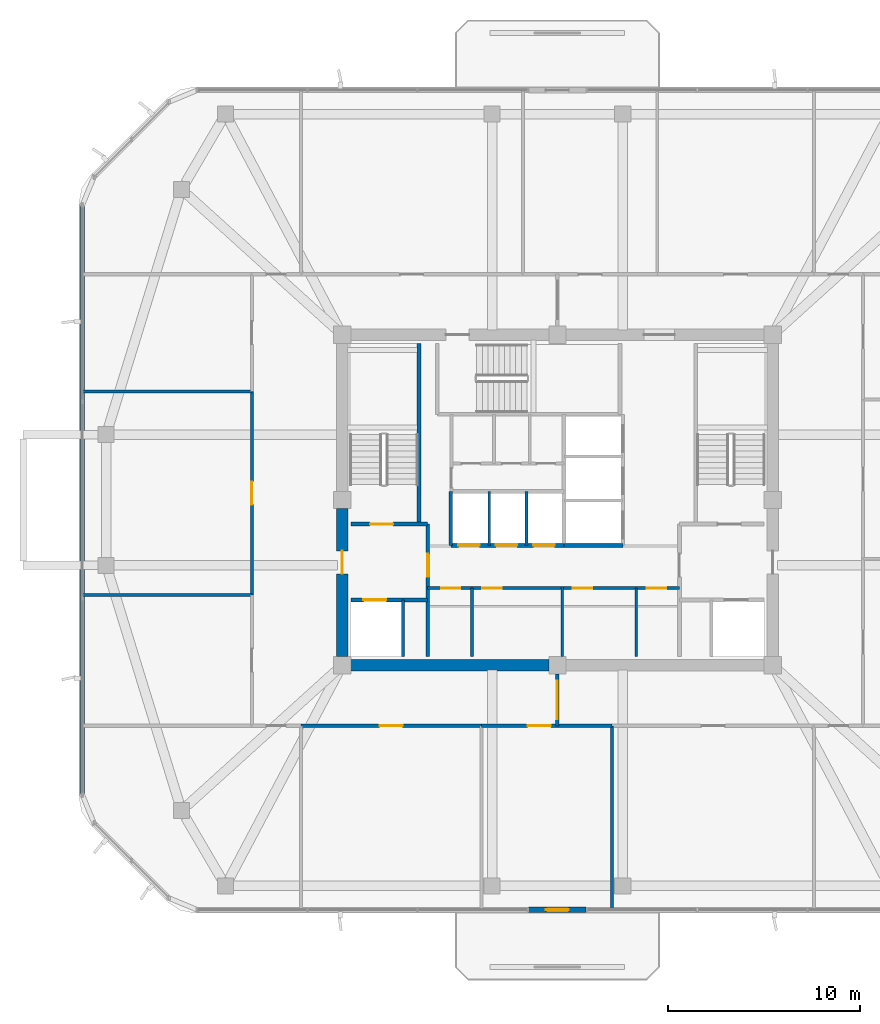
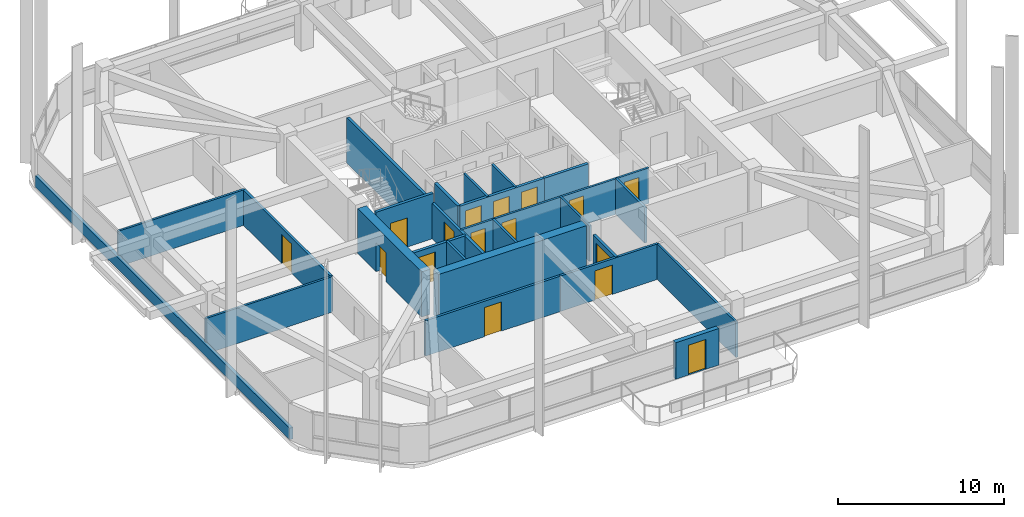
# One storey, part 7 of 13: 26 walls, 16 doors, 16 openings.
"""IFC4 building model written with IfcOpenShell, lengths in metres."""

from ifc_helpers import new_model, si_unit, derived_unit, direction, frame, frame_2d, origin, place, context, subcontext, project, spatial, rectangle, extrude, material, layer, layer_set, type_object, element, fill, save


model = new_model("IFC4")

# Units and contexts
model_context = context("Model", 3, precision=1e-05, world=origin(), true_north=direction((0.0, 1.0)))
body_context = subcontext(model_context, "Body", "Model", "MODEL_VIEW")
ifc_project = project(units=[si_unit("LENGTHUNIT", "METRE"), si_unit("AREAUNIT", "SQUARE_METRE"), si_unit("VOLUMEUNIT", "CUBIC_METRE"), si_unit("PLANEANGLEUNIT", "RADIAN"), si_unit("MASSUNIT", "GRAM", prefix="KILO"), derived_unit("THERMALTRANSMITTANCEUNIT", [(si_unit("POWERUNIT", "WATT"), 1), (si_unit("LENGTHUNIT", "METRE"), -2), (si_unit("THERMODYNAMICTEMPERATUREUNIT", "KELVIN"), -1)])], contexts=[model_context])

# Site, building, storey
site_placement = place(None, origin())
site = spatial("IfcSite", under=ifc_project, at=site_placement, CompositionType="ELEMENT")
building_placement = place(site_placement, origin())
building = spatial("IfcBuilding", under=site, at=building_placement, Name="Koralith Skygarden Medical Center", CompositionType="ELEMENT")
storey_placement = place(building_placement, frame((0.0, 0.0, 253.6201171875)))
storey = spatial("IfcBuildingStorey", under=building, at=storey_placement, Name="L65", CompositionType="ELEMENT", Elevation=253.6201171875)

# Wall, openings, doors
ifc_material_1 = material(Name="Gypsum Board Partition")
ifc_layer_1 = layer(ifc_material_1, 0.14990234375)
ifc_layer_set_1 = layer_set([ifc_layer_1], Name="Gypsum Board Partition")
wall_type_1 = type_object("IfcWallType", Name="Clinical Acoustic Partition 150", PredefinedType="PARTITIONING", material=ifc_layer_set_1)
wall_1_placement = place(storey_placement, frame((30.25, 21.320068359375, 0.0), z_axis=(0.0, 0.0, 1.0), x_axis=(1.0, 0.0, 0.0)))
wall_1 = element("IfcWall", 1, at=wall_1_placement, inside=storey, type_object=wall_type_1, Name="L65 Clinical Acoustic Partition 150 W-CORE-L65-FREED-LR-N", PredefinedType="PARTITIONING", context=body_context, shape_type="SweptSolid", body=[
    extrude(rectangle(XDim=7.0, YDim=0.14990234375, at=frame_2d((3.5, 0.0))), origin(), (0.0, 0.0, 1.0), 2.60986328125),
])
opening_1_placement = place(wall_1_placement, frame((0.699951171875, 0.0, 0.0)))
opening_1 = element("IfcOpeningElement", 2, at=opening_1_placement, cuts=wall_1, Name="Opening D-SUP", PredefinedType="OPENING", context=body_context, shape_type="SweptSolid", body=[
    extrude(rectangle(XDim=1.0, YDim=2.14990234375, at=frame_2d((0.5, 1.074951171875))), frame((0.0, 0.0849609375, 0.0), z_axis=(0.0, -1.0, 0.0), x_axis=(1.0, 0.0, 0.0)), (0.0, 0.0, 1.0), 0.169921875),
])
opening_2_placement = place(wall_1_placement, frame((2.85009765625, 0.0, 0.0)))
opening_2 = element("IfcOpeningElement", 3, at=opening_2_placement, cuts=wall_1, Name="Opening D-SUP", PredefinedType="OPENING", context=body_context, shape_type="SweptSolid", body=[
    extrude(rectangle(XDim=1.0, YDim=2.14990234375, at=frame_2d((0.5, 1.074951171875))), frame((0.0, 0.0849609375, 0.0), z_axis=(0.0, -1.0, 0.0), x_axis=(1.0, 0.0, 0.0)), (0.0, 0.0, 1.0), 0.169921875),
])
ifc_material_2 = material(Name="Aluminium 6063-T6", Category="aluminium")
door_type_1 = type_object("IfcDoorType", Name="Clinical Support Door D-SUP 1000", OperationType="NOTDEFINED", PredefinedType="DOOR", material=ifc_material_2)
door_1_placement = place(opening_1_placement, frame((1.0, 0.0, 0.0), z_axis=(0.0, 0.0, 1.0), x_axis=(-1.0, 0.0, 0.0)))
door_1 = element("IfcDoor", 4, at=door_1_placement, inside=storey, type_object=door_type_1, Name="L65 Medication Preparation Door", OperationType="SINGLE_SWING_LEFT", OverallHeight=2.14990234375, OverallWidth=1.0, PredefinedType="DOOR", context=body_context, shape_type="SweptSolid", body=[
    extrude(rectangle(XDim=1.0, YDim=2.14990234375, at=frame_2d((0.5, 1.074951171875))), frame((0.0, 0.02490234375, 0.0), z_axis=(0.0, -1.0, 0.0), x_axis=(1.0, 0.0, 0.0)), (0.0, 0.0, 1.0), 0.050048828125),
])
fill(opening_1, door_1)
door_2_placement = place(opening_2_placement, frame((1.0, 0.0, 0.0), z_axis=(0.0, 0.0, 1.0), x_axis=(-1.0, 0.0, 0.0)))
door_2 = element("IfcDoor", 5, at=door_2_placement, inside=storey, type_object=door_type_1, Name="L65 Telemetry Room Door", OperationType="SINGLE_SWING_RIGHT", OverallHeight=2.14990234375, OverallWidth=1.0, PredefinedType="DOOR", context=body_context, shape_type="SweptSolid", body=[
    extrude(rectangle(XDim=1.0, YDim=2.14990234375, at=frame_2d((0.5, 1.074951171875))), frame((0.0, 0.02490234375, 0.0), z_axis=(0.0, -1.0, 0.0), x_axis=(1.0, 0.0, 0.0)), (0.0, 0.0, 1.0), 0.050048828125),
])
fill(opening_2, door_2)

# Wall
wall_2_placement = place(storey_placement, frame((32.550048828125, 17.75, 0.0), z_axis=(0.0, 0.0, 1.0), x_axis=(0.0, 1.0, 0.0)))
element("IfcWall", 6, at=wall_2_placement, inside=storey, type_object=wall_type_1, Name="L65 Clinical Acoustic Partition 150 W-CORE-L65-FREED-LR-M", PredefinedType="PARTITIONING", context=body_context, shape_type="SweptSolid", body=[
    extrude(rectangle(XDim=3.570068359375, YDim=0.14990234375, at=frame_2d((1.78515625, 0.0))), origin(), (0.0, 0.0, 1.0), 2.60986328125),
])

# Wall, openings, doors
wall_3_placement = place(storey_placement, frame((37.25, 21.320068359375, 0.0), z_axis=(0.0, 0.0, 1.0), x_axis=(1.0, 0.0, 0.0)))
wall_3 = element("IfcWall", 7, at=wall_3_placement, inside=storey, type_object=wall_type_1, Name="L65 Clinical Acoustic Partition 150 W-CORE-L65-FREED-MR-N", PredefinedType="PARTITIONING", context=body_context, shape_type="SweptSolid", body=[
    extrude(rectangle(XDim=6.10009765625, YDim=0.14990234375, at=frame_2d((3.050048828125, 0.0))), origin(), (0.0, 0.0, 1.0), 2.60986328125),
])
opening_3_placement = place(wall_3_placement, frame((0.550048828125, 0.0, 0.0)))
opening_3 = element("IfcOpeningElement", 8, at=opening_3_placement, cuts=wall_3, Name="Opening D-SUP", PredefinedType="OPENING", context=body_context, shape_type="SweptSolid", body=[
    extrude(rectangle(XDim=1.0, YDim=2.14990234375, at=frame_2d((0.5, 1.074951171875))), frame((0.0, 0.0849609375, 0.0), z_axis=(0.0, -1.0, 0.0), x_axis=(1.0, 0.0, 0.0)), (0.0, 0.0, 1.0), 0.169921875),
])
opening_4_placement = place(wall_3_placement, frame((4.39990234375, 0.0, 0.0)))
opening_4 = element("IfcOpeningElement", 9, at=opening_4_placement, cuts=wall_3, Name="Opening D-SUP", PredefinedType="OPENING", context=body_context, shape_type="SweptSolid", body=[
    extrude(rectangle(XDim=1.0, YDim=2.14990234375, at=frame_2d((0.5, 1.074951171875))), frame((0.0, 0.0849609375, 0.0), z_axis=(0.0, -1.0, 0.0), x_axis=(1.0, 0.0, 0.0)), (0.0, 0.0, 1.0), 0.169921875),
])
door_3_placement = place(opening_3_placement, frame((1.0, 0.0, 0.0), z_axis=(0.0, 0.0, 1.0), x_axis=(-1.0, 0.0, 0.0)))
door_3 = element("IfcDoor", 10, at=door_3_placement, inside=storey, type_object=door_type_1, Name="L65 Satellite Pharmacy Door", OperationType="SINGLE_SWING_LEFT", OverallHeight=2.14990234375, OverallWidth=1.0, PredefinedType="DOOR", context=body_context, shape_type="SweptSolid", body=[
    extrude(rectangle(XDim=1.0, YDim=2.14990234375, at=frame_2d((0.5, 1.074951171875))), frame((0.0, 0.02490234375, 0.0), z_axis=(0.0, -1.0, 0.0), x_axis=(1.0, 0.0, 0.0)), (0.0, 0.0, 1.0), 0.050048828125),
])
fill(opening_3, door_3)
door_4_placement = place(opening_4_placement, frame((1.0, 0.0, 0.0), z_axis=(0.0, 0.0, 1.0), x_axis=(-1.0, 0.0, 0.0)))
door_4 = element("IfcDoor", 11, at=door_4_placement, inside=storey, type_object=door_type_1, Name="L65 Biomedical Equipment Door", OperationType="SINGLE_SWING_RIGHT", OverallHeight=2.14990234375, OverallWidth=1.0, PredefinedType="DOOR", context=body_context, shape_type="SweptSolid", body=[
    extrude(rectangle(XDim=1.0, YDim=2.14990234375, at=frame_2d((0.5, 1.074951171875))), frame((0.0, 0.02490234375, 0.0), z_axis=(0.0, -1.0, 0.0), x_axis=(1.0, 0.0, 0.0)), (0.0, 0.0, 1.0), 0.050048828125),
])
fill(opening_4, door_4)

# Walls
wall_4_placement = place(storey_placement, frame((41.10009765625, 17.75, 0.0), z_axis=(0.0, 0.0, 1.0), x_axis=(0.0, 1.0, 0.0)))
element("IfcWall", 12, at=wall_4_placement, inside=storey, type_object=wall_type_1, Name="L65 Clinical Acoustic Partition 150 W-CORE-L65-FREED-MR-M", PredefinedType="PARTITIONING", context=body_context, shape_type="SweptSolid", body=[
    extrude(rectangle(XDim=3.570068359375, YDim=0.14990234375, at=frame_2d((1.78515625, 0.0))), origin(), (0.0, 0.0, 1.0), 2.60986328125),
])
wall_5_placement = place(storey_placement, frame((39.842041015625, 14.14990234375, 0.0), z_axis=(0.0, 0.0, 1.0), x_axis=(0.0, -1.0, 0.0)))
element("IfcWall", 13, at=wall_5_placement, inside=storey, type_object=wall_type_1, Name="L65 Clinical Acoustic Partition 150 W-PART-L65-S-03", PredefinedType="PARTITIONING", context=body_context, shape_type="SweptSolid", body=[
    extrude(rectangle(XDim=9.5498046875, YDim=0.14990234375, at=frame_2d((4.77490234375, 0.0))), origin(), (0.0, 0.0, 1.0), 2.60986328125),
])
for number, where, z_axis, x_axis, name in (
    (14, (21.10009765625, 20.965087890625, 0.0), (0.0, 0.0, 1.0), (-1.0, 0.0, 0.0), "L65 Clinical Acoustic Partition 150 W-PART-L65-W-01"),
    (15, (21.10009765625, 31.5400390625, 0.0), (0.0, 0.0, 1.0), (-1.0, 0.0, 0.0), "L65 Clinical Acoustic Partition 150 W-PART-L65-W-02"),
):
    element("IfcWall", number, at=place(storey_placement, frame(where, z_axis=z_axis, x_axis=x_axis)), inside=storey, type_object=wall_type_1, Name=name, PredefinedType="PARTITIONING", context=body_context, shape_type="SweptSolid", body=[
        extrude(rectangle(XDim=8.800048828125, YDim=0.14990234375, at=frame_2d((4.39990234375, 0.0))), origin(), (0.0, 0.0, 1.0), 2.60986328125),
    ])

# Wall, opening, door
ifc_layer_2 = layer(ifc_material_1, 0.1650390625)
ifc_layer_set_2 = layer_set([ifc_layer_2], Name="Gypsum Board Partition")
wall_type_2 = type_object("IfcWallType", Name="Clinical Corridor Partition 165", PredefinedType="PARTITIONING", material=ifc_layer_set_2)
wall_6_placement = place(storey_placement, frame((23.64990234375, 14.14990234375, 0.0), z_axis=(0.0, 0.0, 1.0), x_axis=(1.0, 0.0, 0.0)))
wall_6 = element("IfcWall", 16, at=wall_6_placement, inside=storey, type_object=wall_type_2, Name="L65 Clinical Corridor Partition 165 W-CORR-L65-S-02", PredefinedType="PARTITIONING", context=body_context, shape_type="SweptSolid", body=[
    extrude(rectangle(XDim=9.39111328125, YDim=0.1650390625, at=frame_2d((4.695556640625, 0.0))), origin(), (0.0, 0.0, 1.0), 2.60986328125),
])
opening_5_placement = place(wall_6_placement, frame((4.094970703125, 0.0, 0.0)))
opening_5 = element("IfcOpeningElement", 17, at=opening_5_placement, cuts=wall_6, Name="Opening D-CLN", PredefinedType="OPENING", context=body_context, shape_type="SweptSolid", body=[
    extrude(rectangle(XDim=1.199951171875, YDim=2.14990234375, at=frame_2d((0.60009765625, 1.074951171875))), frame((0.0, 0.092529296875, 0.0), z_axis=(0.0, -1.0, 0.0), x_axis=(1.0, 0.0, 0.0)), (0.0, 0.0, 1.0), 0.18505859375),
])
door_type_2 = type_object("IfcDoorType", Name="Clinical Corridor Door D-CLN 1200", OperationType="NOTDEFINED", PredefinedType="DOOR", material=ifc_material_2)
door_5_placement = place(opening_5_placement, frame((1.199951171875, 0.0, 0.0), z_axis=(0.0, 0.0, 1.0), x_axis=(-1.0, 0.0, 0.0)))
door_5 = element("IfcDoor", 18, at=door_5_placement, inside=storey, type_object=door_type_2, Name="L65 Speech Swallow Treatment Room 07 Door", OperationType="SINGLE_SWING_RIGHT", OverallHeight=2.14990234375, OverallWidth=1.199951171875, PredefinedType="DOOR", context=body_context, shape_type="SweptSolid", body=[
    extrude(rectangle(XDim=1.199951171875, YDim=2.14990234375, at=frame_2d((0.60009765625, 1.074951171875))), frame((0.0, 0.02490234375, 0.0), z_axis=(0.0, -1.0, 0.0), x_axis=(1.0, 0.0, 0.0)), (0.0, 0.0, 1.0), 0.050048828125),
])
fill(opening_5, door_5)

wall_7_placement = place(storey_placement, frame((33.041015625, 14.14990234375, 0.0), z_axis=(0.0, 0.0, 1.0), x_axis=(1.0, 0.0, 0.0)))
wall_7 = element("IfcWall", 19, at=wall_7_placement, inside=storey, type_object=wall_type_2, Name="L65 Clinical Corridor Partition 165 W-CORR-L65-S-03", PredefinedType="PARTITIONING", context=body_context, shape_type="SweptSolid", body=[
    extrude(rectangle(XDim=6.801025390625, YDim=0.1650390625, at=frame_2d((3.400390625, 0.0))), origin(), (0.0, 0.0, 1.0), 2.60986328125),
])
opening_6_placement = place(wall_7_placement, frame((2.412109375, 0.0, 0.0)))
opening_6 = element("IfcOpeningElement", 20, at=opening_6_placement, cuts=wall_7, Name="Opening D-CLN", PredefinedType="OPENING", context=body_context, shape_type="SweptSolid", body=[
    extrude(rectangle(XDim=1.199951171875, YDim=2.14990234375, at=frame_2d((0.60009765625, 1.074951171875))), frame((0.0, 0.092529296875, 0.0), z_axis=(0.0, -1.0, 0.0), x_axis=(1.0, 0.0, 0.0)), (0.0, 0.0, 1.0), 0.18505859375),
])
door_6_placement = place(opening_6_placement, frame((1.199951171875, 0.0, 0.0), z_axis=(0.0, 0.0, 1.0), x_axis=(-1.0, 0.0, 0.0)))
door_6 = element("IfcDoor", 21, at=door_6_placement, inside=storey, type_object=door_type_2, Name="L65 Patient and Family Sky-Garden Day Lounge 08 Door", OperationType="SINGLE_SWING_LEFT", OverallHeight=2.14990234375, OverallWidth=1.199951171875, PredefinedType="DOOR", context=body_context, shape_type="SweptSolid", body=[
    extrude(rectangle(XDim=1.199951171875, YDim=2.14990234375, at=frame_2d((0.60009765625, 1.074951171875))), frame((0.0, 0.02490234375, 0.0), z_axis=(0.0, -1.0, 0.0), x_axis=(1.0, 0.0, 0.0)), (0.0, 0.0, 1.0), 0.050048828125),
])
fill(opening_6, door_6)

wall_8_placement = place(storey_placement, frame((21.10009765625, 20.965087890625, 0.0), z_axis=(0.0, 0.0, 1.0), x_axis=(0.0, 1.0, 0.0)))
wall_8 = element("IfcWall", 22, at=wall_8_placement, inside=storey, type_object=wall_type_2, Name="L65 Clinical Corridor Partition 165 W-CORR-L65-W-02", PredefinedType="PARTITIONING", context=body_context, shape_type="SweptSolid", body=[
    extrude(rectangle(XDim=10.574951171875, YDim=0.1650390625, at=frame_2d((5.28759765625, 0.0))), origin(), (0.0, 0.0, 1.0), 2.60986328125),
])
opening_7_placement = place(wall_8_placement, frame((4.68798828125, 0.0, 0.0)))
opening_7 = element("IfcOpeningElement", 23, at=opening_7_placement, cuts=wall_8, Name="Opening D-CLN", PredefinedType="OPENING", context=body_context, shape_type="SweptSolid", body=[
    extrude(rectangle(XDim=1.199951171875, YDim=2.14990234375, at=frame_2d((0.60009765625, 1.074951171875))), frame((0.0, 0.092529296875, 0.0), z_axis=(0.0, -1.0, 0.0), x_axis=(1.0, 0.0, 0.0)), (0.0, 0.0, 1.0), 0.18505859375),
])
door_7_placement = place(opening_7_placement, frame((1.199951171875, 0.0, 0.0), z_axis=(0.0, 0.0, 1.0), x_axis=(-1.0, 0.0, 0.0)))
door_7 = element("IfcDoor", 24, at=door_7_placement, inside=storey, type_object=door_type_2, Name="L65 Speech Swallow Treatment Room 12 Door", OperationType="SINGLE_SWING_LEFT", OverallHeight=2.14990234375, OverallWidth=1.199951171875, PredefinedType="DOOR", context=body_context, shape_type="SweptSolid", body=[
    extrude(rectangle(XDim=1.199951171875, YDim=2.14990234375, at=frame_2d((0.60009765625, 1.074951171875))), frame((0.0, 0.02490234375, 0.0), z_axis=(0.0, -1.0, 0.0), x_axis=(1.0, 0.0, 0.0)), (0.0, 0.0, 1.0), 0.050048828125),
])
fill(opening_7, door_7)

ifc_layer_3 = layer(ifc_material_1, 0.199951171875)
ifc_layer_set_3 = layer_set([ifc_layer_3], Name="Gypsum Board Partition")
wall_type_3 = type_object("IfcWallType", Name="Fire Shaft Wall 200", PredefinedType="SOLIDWALL", material=ifc_layer_set_3)
wall_9_placement = place(storey_placement, frame((26.25, 20.699951171875, 0.0), z_axis=(0.0, 0.0, 1.0), x_axis=(1.0, 0.0, 0.0)))
wall_9 = element("IfcWall", 25, at=wall_9_placement, inside=storey, type_object=wall_type_3, Name="L65 Fire Shaft Wall 200 W-CORE-L65-FF1-N", PredefinedType="SOLIDWALL", context=body_context, shape_type="SweptSolid", body=[
    extrude(rectangle(XDim=4.0, YDim=0.199951171875, at=frame_2d((2.0, 0.0))), origin(), (0.0, 0.0, 1.0), 2.60986328125),
])
opening_8_placement = place(wall_9_placement, frame((0.64990234375, 0.0, 0.0)))
opening_8 = element("IfcOpeningElement", 26, at=opening_8_placement, cuts=wall_9, Name="Opening LD-FF", PredefinedType="OPENING", context=body_context, shape_type="SweptSolid", body=[
    extrude(rectangle(XDim=1.199951171875, YDim=2.14990234375, at=frame_2d((0.60009765625, 1.074951171875))), frame((0.0, 0.10986328125, 0.0), z_axis=(0.0, -1.0, 0.0), x_axis=(1.0, 0.0, 0.0)), (0.0, 0.0, 1.0), 0.219970703125),
])
ifc_material_3 = material(Name="Steel ASTM A500 Grade C", Category="steel")
door_type_3 = type_object("IfcDoorType", Name="Fire Lift Sliding Landing Door LD-FF 1200", OperationType="NOTDEFINED", PredefinedType="DOOR", material=ifc_material_3)
door_8_placement = place(opening_8_placement, origin())
door_8 = element("IfcDoor", 27, at=door_8_placement, inside=storey, type_object=door_type_3, Name="L65 Fire Service Elevator FF1 Landing Door", OperationType="SLIDING_TO_LEFT", OverallHeight=2.14990234375, OverallWidth=1.199951171875, PredefinedType="DOOR", context=body_context, shape_type="SweptSolid", body=[
    extrude(rectangle(XDim=1.199951171875, YDim=2.14990234375, at=frame_2d((0.60009765625, 1.074951171875))), frame((0.0, 0.02490234375, 0.0), z_axis=(0.0, -1.0, 0.0), x_axis=(1.0, 0.0, 0.0)), (0.0, 0.0, 1.0), 0.050048828125),
])
fill(opening_8, door_8)

wall_10_placement = place(storey_placement, frame((30.25, 17.75, 0.0), z_axis=(0.0, 0.0, 1.0), x_axis=(0.0, 1.0, 0.0)))
wall_10 = element("IfcWall", 28, at=wall_10_placement, inside=storey, type_object=wall_type_3, Name="L65 Fire Shaft Wall 200 W-CORE-L65-FSAEW-E", PredefinedType="SOLIDWALL", context=body_context, shape_type="SweptSolid", body=[
    extrude(rectangle(XDim=6.89990234375, YDim=0.199951171875, at=frame_2d((3.449951171875, 0.0))), origin(), (0.0, 0.0, 1.0), 2.60986328125),
])
opening_9_placement = place(wall_10_placement, frame((4.14990234375, 0.0, 0.0)))
opening_9 = element("IfcOpeningElement", 29, at=opening_9_placement, cuts=wall_10, Name="Opening D-ST60", PredefinedType="OPENING", context=body_context, shape_type="SweptSolid", body=[
    extrude(rectangle(XDim=1.199951171875, YDim=2.14990234375, at=frame_2d((0.60009765625, 1.074951171875))), frame((0.0, 0.10986328125, 0.0), z_axis=(0.0, -1.0, 0.0), x_axis=(1.0, 0.0, 0.0)), (0.0, 0.0, 1.0), 0.219970703125),
])
door_type_4 = type_object("IfcDoorType", Name="Smokeproof Stair Fire Door FD60S 1200", OperationType="NOTDEFINED", PredefinedType="DOOR", material=ifc_material_3)
door_9_placement = place(opening_9_placement, origin())
door_9 = element("IfcDoor", 30, at=door_9_placement, inside=storey, type_object=door_type_4, Name="L65 West Firefighting Lobby Inner Fire Door", OperationType="SINGLE_SWING_LEFT", OverallHeight=2.14990234375, OverallWidth=1.199951171875, PredefinedType="DOOR", context=body_context, shape_type="SweptSolid", body=[
    extrude(rectangle(XDim=1.199951171875, YDim=2.14990234375, at=frame_2d((0.60009765625, 1.074951171875))), frame((0.0, 0.02490234375, 0.0), z_axis=(0.0, -1.0, 0.0), x_axis=(1.0, 0.0, 0.0)), (0.0, 0.0, 1.0), 0.050048828125),
])
fill(opening_9, door_9)

# Wall, openings, doors
wall_11_placement = place(storey_placement, frame((31.449951171875, 23.5400390625, 0.0), z_axis=(0.0, 0.0, 1.0), x_axis=(1.0, 0.0, 0.0)))
wall_11 = element("IfcWall", 31, at=wall_11_placement, inside=storey, type_object=wall_type_3, Name="L65 Fire Shaft Wall 200 W-CORE-L65-PH-S", PredefinedType="SOLIDWALL", context=body_context, shape_type="SweptSolid", body=[
    extrude(rectangle(XDim=5.900146484375, YDim=0.199951171875, at=frame_2d((2.9501953125, 0.0))), origin(), (0.0, 0.0, 1.0), 2.60986328125),
])
opening_10_placement = place(wall_11_placement, frame((0.39990234375, 0.0, 0.0)))
opening_10 = element("IfcOpeningElement", 32, at=opening_10_placement, cuts=wall_11, Name="Opening LD-P", PredefinedType="OPENING", context=body_context, shape_type="SweptSolid", body=[
    extrude(rectangle(XDim=1.10009765625, YDim=2.14990234375, at=frame_2d((0.550048828125, 1.074951171875))), frame((0.0, 0.10986328125, 0.0), z_axis=(0.0, -1.0, 0.0), x_axis=(1.0, 0.0, 0.0)), (0.0, 0.0, 1.0), 0.219970703125),
])
opening_11_placement = place(wall_11_placement, frame((2.35009765625, 0.0, 0.0)))
opening_11 = element("IfcOpeningElement", 33, at=opening_11_placement, cuts=wall_11, Name="Opening LD-P", PredefinedType="OPENING", context=body_context, shape_type="SweptSolid", body=[
    extrude(rectangle(XDim=1.10009765625, YDim=2.14990234375, at=frame_2d((0.550048828125, 1.074951171875))), frame((0.0, 0.10986328125, 0.0), z_axis=(0.0, -1.0, 0.0), x_axis=(1.0, 0.0, 0.0)), (0.0, 0.0, 1.0), 0.219970703125),
])
opening_12_placement = place(wall_11_placement, frame((4.300048828125, 0.0, 0.0)))
opening_12 = element("IfcOpeningElement", 34, at=opening_12_placement, cuts=wall_11, Name="Opening LD-P", PredefinedType="OPENING", context=body_context, shape_type="SweptSolid", body=[
    extrude(rectangle(XDim=1.10009765625, YDim=2.14990234375, at=frame_2d((0.550048828125, 1.074951171875))), frame((0.0, 0.10986328125, 0.0), z_axis=(0.0, -1.0, 0.0), x_axis=(1.0, 0.0, 0.0)), (0.0, 0.0, 1.0), 0.219970703125),
])
door_type_5 = type_object("IfcDoorType", Name="Passenger Lift Sliding Landing Door LD-P 1100", OperationType="NOTDEFINED", PredefinedType="DOOR", material=ifc_material_3)
door_10_placement = place(opening_10_placement, origin())
door_10 = element("IfcDoor", 35, at=door_10_placement, inside=storey, type_object=door_type_5, Name="L65 Passenger Elevator PH1 Landing Door", OperationType="SLIDING_TO_RIGHT", OverallHeight=2.14990234375, OverallWidth=1.10009765625, PredefinedType="DOOR", context=body_context, shape_type="SweptSolid", body=[
    extrude(rectangle(XDim=1.10009765625, YDim=2.14990234375, at=frame_2d((0.550048828125, 1.074951171875))), frame((0.0, 0.02490234375, 0.0), z_axis=(0.0, -1.0, 0.0), x_axis=(1.0, 0.0, 0.0)), (0.0, 0.0, 1.0), 0.050048828125),
])
fill(opening_10, door_10)
door_11_placement = place(opening_11_placement, origin())
door_11 = element("IfcDoor", 36, at=door_11_placement, inside=storey, type_object=door_type_5, Name="L65 Passenger Elevator PH2 Landing Door", OperationType="SLIDING_TO_RIGHT", OverallHeight=2.14990234375, OverallWidth=1.10009765625, PredefinedType="DOOR", context=body_context, shape_type="SweptSolid", body=[
    extrude(rectangle(XDim=1.10009765625, YDim=2.14990234375, at=frame_2d((0.550048828125, 1.074951171875))), frame((0.0, 0.02490234375, 0.0), z_axis=(0.0, -1.0, 0.0), x_axis=(1.0, 0.0, 0.0)), (0.0, 0.0, 1.0), 0.050048828125),
])
fill(opening_11, door_11)
door_12_placement = place(opening_12_placement, origin())
door_12 = element("IfcDoor", 37, at=door_12_placement, inside=storey, type_object=door_type_5, Name="L65 Passenger Elevator PH3 Landing Door", OperationType="SLIDING_TO_RIGHT", OverallHeight=2.14990234375, OverallWidth=1.10009765625, PredefinedType="DOOR", context=body_context, shape_type="SweptSolid", body=[
    extrude(rectangle(XDim=1.10009765625, YDim=2.14990234375, at=frame_2d((0.550048828125, 1.074951171875))), frame((0.0, 0.02490234375, 0.0), z_axis=(0.0, -1.0, 0.0), x_axis=(1.0, 0.0, 0.0)), (0.0, 0.0, 1.0), 0.050048828125),
])
fill(opening_12, door_12)

# Walls
wall_12_placement = place(storey_placement, frame((31.449951171875, 23.5400390625, 0.0), z_axis=(0.0, 0.0, 1.0), x_axis=(0.0, 1.0, 0.0)))
element("IfcWall", 38, at=wall_12_placement, inside=storey, type_object=wall_type_3, Name="L65 Fire Shaft Wall 200 W-CORE-L65-PH-W", PredefinedType="SOLIDWALL", context=body_context, shape_type="SweptSolid", body=[
    extrude(rectangle(XDim=2.81005859375, YDim=0.199951171875, at=frame_2d((1.405029296875, 0.0))), origin(), (0.0, 0.0, 1.0), 2.60986328125),
])
wall_13_placement = place(storey_placement, frame((37.35009765625, 23.5400390625, 0.0), z_axis=(0.0, 0.0, 1.0), x_axis=(1.0, 0.0, 0.0)))
element("IfcWall", 39, at=wall_13_placement, inside=storey, type_object=wall_type_3, Name="L65 Fire Shaft Wall 200 W-CORE-L65-SV-S", PredefinedType="SOLIDWALL", context=body_context, shape_type="SweptSolid", body=[
    extrude(rectangle(XDim=3.0498046875, YDim=0.199951171875, at=frame_2d((1.52490234375, 0.0))), origin(), (0.0, 0.0, 1.0), 2.60986328125),
])

# Wall, opening, door
ifc_layer_4 = layer(ifc_material_1, 0.179931640625)
ifc_layer_set_4 = layer_set([ifc_layer_4], Name="Gypsum Board Partition")
wall_type_4 = type_object("IfcWallType", Name="Group I-2 Smoke Barrier Wall 180", PredefinedType="PARTITIONING", material=ifc_layer_set_4)
wall_14_placement = place(storey_placement, frame((37.0, 14.14990234375, 0.0), z_axis=(0.0, 0.0, 1.0), x_axis=(0.0, 1.0, 0.0)))
wall_14 = element("IfcWall", 40, at=wall_14_placement, inside=storey, type_object=wall_type_4, Name="L65 Group I-2 Smoke Barrier Wall 180 W-SMK-L65-S", PredefinedType="PARTITIONING", context=body_context, shape_type="SweptSolid", body=[
    extrude(rectangle(XDim=2.7001953125, YDim=0.179931640625, at=frame_2d((1.35009765625, 0.0))), origin(), (0.0, 0.0, 1.0), 2.60986328125),
])
opening_13_placement = place(wall_14_placement, frame((0.35009765625, 0.0, 0.0)))
opening_13 = element("IfcOpeningElement", 41, at=opening_13_placement, cuts=wall_14, Name="Opening D-SMK", PredefinedType="OPENING", context=body_context, shape_type="SweptSolid", body=[
    extrude(rectangle(XDim=2.0, YDim=2.199951171875, at=frame_2d((1.0, 1.10009765625))), frame((0.0, 0.099853515625, 0.0), z_axis=(0.0, -1.0, 0.0), x_axis=(1.0, 0.0, 0.0)), (0.0, 0.0, 1.0), 0.199951171875),
])
door_type_6 = type_object("IfcDoorType", Name="Cross-Corridor Double Smoke Door FD60S 2000", OperationType="NOTDEFINED", PredefinedType="DOOR", material=ifc_material_3)
door_13_placement = place(opening_13_placement, frame((2.0, 0.0, 0.0), z_axis=(0.0, 0.0, 1.0), x_axis=(-1.0, 0.0, 0.0)))
door_13 = element("IfcDoor", 42, at=door_13_placement, inside=storey, type_object=door_type_6, Name="L65 S Smoke Compartment Cross-Corridor Door", OperationType="DOUBLE_DOOR_SINGLE_SWING", OverallHeight=2.199951171875, OverallWidth=2.0, PredefinedType="DOOR", context=body_context, shape_type="SweptSolid", body=[
    extrude(rectangle(XDim=2.0, YDim=2.199951171875, at=frame_2d((1.0, 1.10009765625))), frame((0.0, 0.02490234375, 0.0), z_axis=(0.0, -1.0, 0.0), x_axis=(1.0, 0.0, 0.0)), (0.0, 0.0, 1.0), 0.050048828125),
])
fill(opening_13, door_13)

# Wall
ifc_material_4 = material(Name="Warm Oolitic Limestone Cladding", Category="masonry")
ifc_layer_5 = layer(ifc_material_4, 0.239990234375)
ifc_layer_set_5 = layer_set([ifc_layer_5], Name="Warm Oolitic Limestone Cladding")
wall_type_5 = type_object("IfcWallType", Name="Limestone Spandrel Sill Backup Wall 240", PredefinedType="SOLIDWALL", material=ifc_layer_set_5)
wall_15_placement = place(storey_placement, frame((12.280029296875, 41.2451171875, 0.0), z_axis=(0.0, 0.0, 1.0), x_axis=(0.0, -1.0, 0.0)))
element("IfcWall", 43, at=wall_15_placement, inside=storey, type_object=wall_type_5, Name="L65 Sill Spandrel W", PredefinedType="SOLIDWALL", context=body_context, shape_type="SweptSolid", body=[
    extrude(rectangle(XDim=30.690185546875, YDim=0.239990234375, at=frame_2d((15.34521484375, 0.0))), origin(), (0.0, 0.0, 1.0), 0.849853515625),
])

# Wall, opening, door
ifc_layer_6 = layer(ifc_material_4, 0.300048828125)
ifc_layer_set_6 = layer_set([ifc_layer_6], Name="Warm Oolitic Limestone Cladding")
wall_type_6 = type_object("IfcWallType", Name="Oolitic Limestone Insulated Facade Wall 300", PredefinedType="SOLIDWALL", material=ifc_layer_set_6)
wall_16_placement = place(storey_placement, frame((35.4990234375, 4.580078125, 0.0), z_axis=(0.0, 0.0, 1.0), x_axis=(1.0, 0.0, 0.0)))
wall_16 = element("IfcWall", 44, at=wall_16_placement, inside=storey, type_object=wall_type_6, Name="L65 Terrace Portal Wall S", PredefinedType="SOLIDWALL", context=body_context, shape_type="SweptSolid", body=[
    extrude(rectangle(XDim=3.0, YDim=0.300048828125, at=frame_2d((1.5, 0.0))), origin(), (0.0, 0.0, 1.0), 2.68994140625),
])
opening_14_placement = place(wall_16_placement, frame((0.89990234375, 0.0, 0.0)))
opening_14 = element("IfcOpeningElement", 45, at=opening_14_placement, cuts=wall_16, Name="Opening D-BAL", PredefinedType="OPENING", context=body_context, shape_type="SweptSolid", body=[
    extrude(rectangle(XDim=1.199951171875, YDim=2.199951171875, at=frame_2d((0.60009765625, 1.10009765625))), frame((0.0, 0.159912109375, 0.0), z_axis=(0.0, -1.0, 0.0), x_axis=(1.0, 0.0, 0.0)), (0.0, 0.0, 1.0), 0.320068359375),
])
door_type_7 = type_object("IfcDoorType", Name="Planted Balcony Glazed Terrace Door D-BAL 1200", OperationType="NOTDEFINED", PredefinedType="DOOR", material=ifc_material_2)
door_14_placement = place(opening_14_placement, origin())
door_14 = element("IfcDoor", 46, at=door_14_placement, inside=storey, type_object=door_type_7, Name="L65 S Outdoor Terrace Access Door", OperationType="SINGLE_SWING_RIGHT", OverallHeight=2.199951171875, OverallWidth=1.199951171875, PredefinedType="DOOR", context=body_context, shape_type="SweptSolid", body=[
    extrude(rectangle(XDim=1.199951171875, YDim=2.199951171875, at=frame_2d((0.60009765625, 1.10009765625))), frame((0.0, 0.02490234375, 0.0), z_axis=(0.0, -1.0, 0.0), x_axis=(1.0, 0.0, 0.0)), (0.0, 0.0, 1.0), 0.050048828125),
])
fill(opening_14, door_14)

# Walls
ifc_layer_7 = layer(ifc_material_1, 0.14990234375)
ifc_layer_set_7 = layer_set([ifc_layer_7], Name="Gypsum Board Partition")
wall_type_7 = type_object("IfcWallType", Name="Shaft Partition Wall 150", PredefinedType="PARTITIONING", material=ifc_layer_set_7)
wall_17_placement = place(storey_placement, frame((28.969970703125, 17.75, 0.0), z_axis=(0.0, 0.0, 1.0), x_axis=(0.0, 1.0, 0.0)))
element("IfcWall", 47, at=wall_17_placement, inside=storey, type_object=wall_type_7, Name="L65 Shaft Partition Wall 150 W-CORE-L65-RSRW-DIV", PredefinedType="PARTITIONING", context=body_context, shape_type="SweptSolid", body=[
    extrude(rectangle(XDim=2.949951171875, YDim=0.14990234375, at=frame_2d((1.47509765625, 0.0))), origin(), (0.0, 0.0, 1.0), 2.60986328125),
])
wall_18_placement = place(storey_placement, frame((37.25, 17.75, 0.0), z_axis=(0.0, 0.0, 1.0), x_axis=(0.0, 1.0, 0.0)))
element("IfcWall", 48, at=wall_18_placement, inside=storey, type_object=wall_type_7, Name="L65 Shaft Partition Wall 150 W-CORE-L65-PL-PM-SEP", PredefinedType="PARTITIONING", context=body_context, shape_type="SweptSolid", body=[
    extrude(rectangle(XDim=3.64990234375, YDim=0.14990234375, at=frame_2d((1.824951171875, 0.0))), origin(), (0.0, 0.0, 1.0), 2.60986328125),
])
for number, where, z_axis, x_axis, name in (
    (49, (33.449951171875, 23.5400390625, 0.0), (0.0, 0.0, 1.0), (0.0, 1.0, 0.0), "L65 Shaft Partition Wall 150 W-CORE-L65-PH-D1"),
    (50, (35.39990234375, 23.5400390625, 0.0), (0.0, 0.0, 1.0), (0.0, 1.0, 0.0), "L65 Shaft Partition Wall 150 W-CORE-L65-PH-D2"),
):
    element("IfcWall", number, at=place(storey_placement, frame(where, z_axis=z_axis, x_axis=x_axis)), inside=storey, type_object=wall_type_7, Name=name, PredefinedType="PARTITIONING", context=body_context, shape_type="SweptSolid", body=[
        extrude(rectangle(XDim=2.81005859375, YDim=0.14990234375, at=frame_2d((1.405029296875, 0.0))), origin(), (0.0, 0.0, 1.0), 2.60986328125),
    ])
ifc_material_5 = material(Name="Concrete C45/55", Category="concrete")
ifc_layer_8 = layer(ifc_material_5, 0.199951171875)
ifc_layer_set_8 = layer_set([ifc_layer_8], Name="Concrete C45/55")
wall_type_8 = type_object("IfcWallType", Name="Structural Stair Shaft Wall 200", PredefinedType="SHEAR", material=ifc_layer_set_8)
wall_19_placement = place(storey_placement, frame((29.800048828125, 24.64990234375, 0.0), z_axis=(0.0, 0.0, 1.0), x_axis=(0.0, 1.0, 0.0)))
element("IfcWall", 51, at=wall_19_placement, inside=storey, type_object=wall_type_8, Name="L65 Structural Stair Shaft Wall 200 W-CORE-L65-ST1-E", PredefinedType="SHEAR", context=body_context, shape_type="SweptSolid", body=[
    extrude(rectangle(XDim=9.400146484375, YDim=0.199951171875, at=frame_2d((4.7001953125, 0.0))), origin(), (0.0, 0.0, 1.0), 3.31982421875),
])

# Wall, opening, door
wall_20_placement = place(storey_placement, frame((26.25, 24.64990234375, 0.0), z_axis=(0.0, 0.0, 1.0), x_axis=(1.0, 0.0, 0.0)))
wall_20 = element("IfcWall", 52, at=wall_20_placement, inside=storey, type_object=wall_type_8, Name="L65 Structural Stair Shaft Wall 200 W-CORE-L65-ST1-S", PredefinedType="SHEAR", context=body_context, shape_type="SweptSolid", body=[
    extrude(rectangle(XDim=4.0, YDim=0.199951171875, at=frame_2d((2.0, 0.0))), origin(), (0.0, 0.0, 1.0), 3.31982421875),
])
opening_15_placement = place(wall_20_placement, frame((1.0, 0.0, 0.0)))
opening_15 = element("IfcOpeningElement", 53, at=opening_15_placement, cuts=wall_20, Name="Opening D-ST60", PredefinedType="OPENING", context=body_context, shape_type="SweptSolid", body=[
    extrude(rectangle(XDim=1.199951171875, YDim=2.14990234375, at=frame_2d((0.60009765625, 1.074951171875))), frame((0.0, 0.10986328125, 0.0), z_axis=(0.0, -1.0, 0.0), x_axis=(1.0, 0.0, 0.0)), (0.0, 0.0, 1.0), 0.219970703125),
])
door_15_placement = place(opening_15_placement, origin())
door_15 = element("IfcDoor", 54, at=door_15_placement, inside=storey, type_object=door_type_4, Name="L65 Exit Stair ST1 Fire Door", OperationType="SINGLE_SWING_LEFT", OverallHeight=2.14990234375, OverallWidth=1.199951171875, PredefinedType="DOOR", context=body_context, shape_type="SweptSolid", body=[
    extrude(rectangle(XDim=1.199951171875, YDim=2.14990234375, at=frame_2d((0.60009765625, 1.074951171875))), frame((0.0, 0.02490234375, 0.0), z_axis=(0.0, -1.0, 0.0), x_axis=(1.0, 0.0, 0.0)), (0.0, 0.0, 1.0), 0.050048828125),
])
fill(opening_15, door_15)

# Wall
ifc_material_6 = material(Name="Concrete C55/67", Category="concrete")
ifc_layer_9 = layer(ifc_material_6, 0.60009765625)
ifc_layer_set_9 = layer_set([ifc_layer_9], Name="Concrete C55/67")
wall_type_9 = type_object("IfcWallType", Name="Upper Core Shear Wall 600", PredefinedType="SHEAR", material=ifc_layer_set_9)
wall_21_placement = place(storey_placement, frame((26.2451171875, 17.300048828125, 0.0), z_axis=(0.0, 0.0, 1.0), x_axis=(1.0, 0.0, 0.0)))
element("IfcWall", 55, at=wall_21_placement, inside=storey, type_object=wall_type_9, Name="L65 Core Shear Wall Segment 1", PredefinedType="SHEAR", context=body_context, shape_type="SweptSolid", body=[
    extrude(rectangle(XDim=10.309814453125, YDim=0.60009765625, at=frame_2d((5.15478515625, 0.0))), origin(), (0.0, 0.0, 1.0), 3.31982421875),
])

# Wall, opening, door
wall_22_placement = place(storey_placement, frame((25.800048828125, 25.455078125, 0.0), z_axis=(0.0, 0.0, 1.0), x_axis=(0.0, -1.0, 0.0)))
wall_22 = element("IfcWall", 56, at=wall_22_placement, inside=storey, type_object=wall_type_9, Name="L65 Core Shear Wall Segment 8", PredefinedType="SHEAR", context=body_context, shape_type="SweptSolid", body=[
    extrude(rectangle(XDim=7.7099609375, YDim=0.60009765625, at=frame_2d((3.85498046875, 0.0))), origin(), (0.0, 0.0, 1.0), 3.31982421875),
])
opening_16_placement = place(wall_22_placement, frame((2.205078125, 0.0, 0.0)))
opening_16 = element("IfcOpeningElement", 57, at=opening_16_placement, cuts=wall_22, Name="Opening D-ST60", PredefinedType="OPENING", context=body_context, shape_type="SweptSolid", body=[
    extrude(rectangle(XDim=1.199951171875, YDim=2.14990234375, at=frame_2d((0.60009765625, 1.074951171875))), frame((0.0, 0.31005859375, 0.0), z_axis=(0.0, -1.0, 0.0), x_axis=(1.0, 0.0, 0.0)), (0.0, 0.0, 1.0), 0.6201171875),
])
door_16_placement = place(opening_16_placement, frame((1.199951171875, 0.0, 0.0), z_axis=(0.0, 0.0, 1.0), x_axis=(-1.0, 0.0, 0.0)))
door_16 = element("IfcDoor", 58, at=door_16_placement, inside=storey, type_object=door_type_4, Name="L65 West Corridor to Firefighting Lobby Door", OperationType="SINGLE_SWING_LEFT", OverallHeight=2.14990234375, OverallWidth=1.199951171875, PredefinedType="DOOR", context=body_context, shape_type="SweptSolid", body=[
    extrude(rectangle(XDim=1.199951171875, YDim=2.14990234375, at=frame_2d((0.60009765625, 1.074951171875))), frame((0.0, 0.02490234375, 0.0), z_axis=(0.0, -1.0, 0.0), x_axis=(1.0, 0.0, 0.0)), (0.0, 0.0, 1.0), 0.050048828125),
])
fill(opening_16, door_16)

save(model, "model.ifc")
